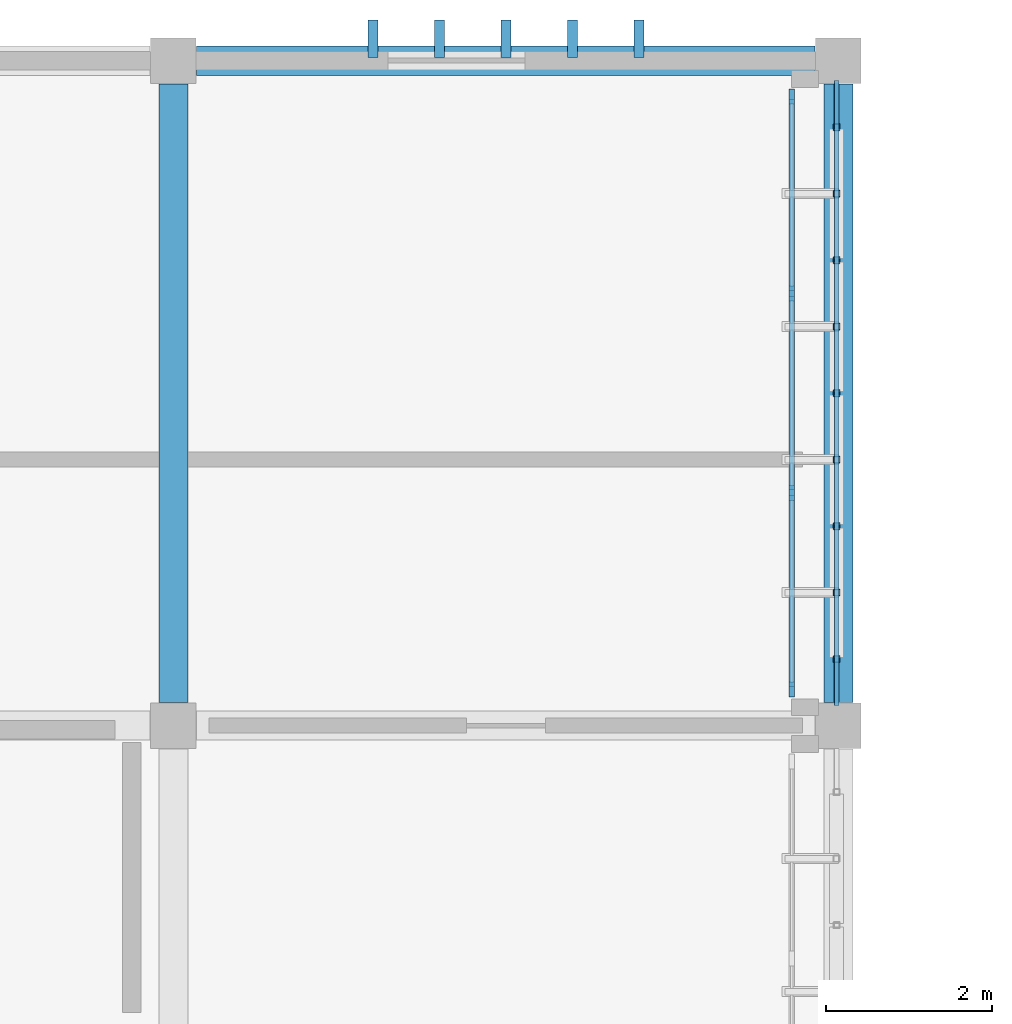
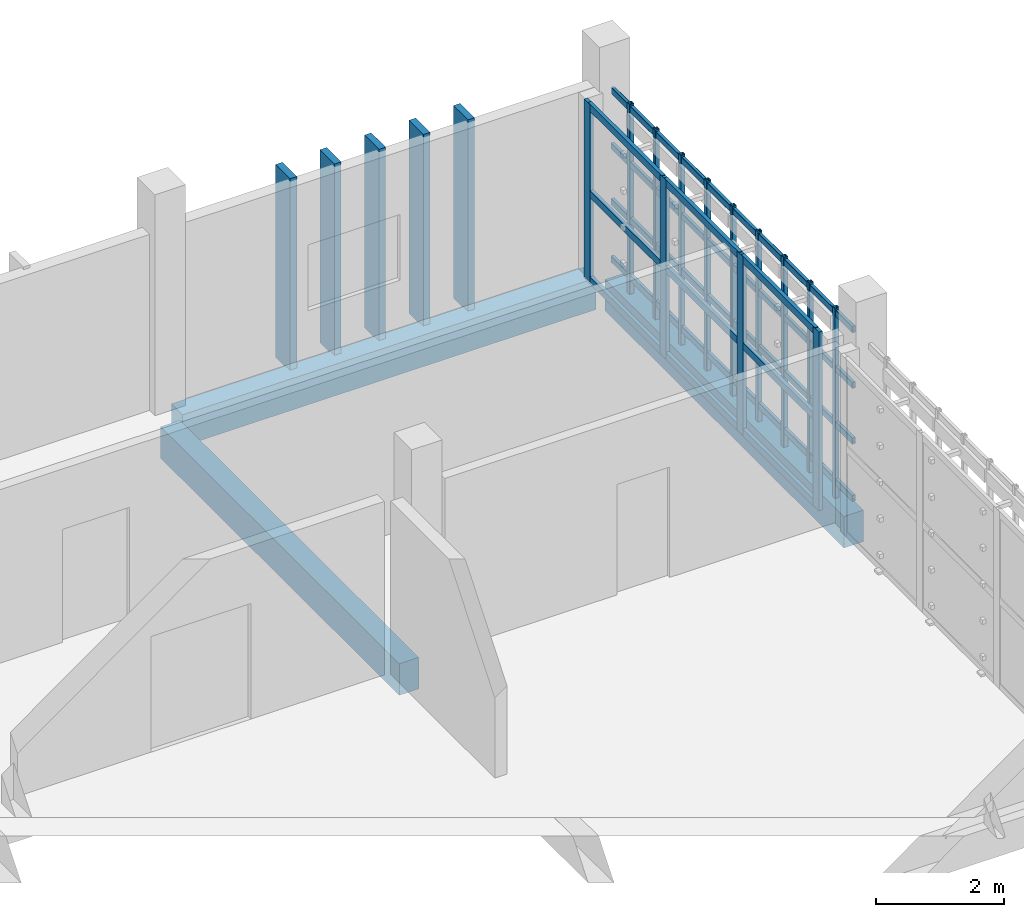
# One storey, part 16 of 32: 31 members, 3 beams, 1 element without a shape of its own.
"""IFC4 building model written with IfcOpenShell, lengths in metres."""

import ifcopenshell
import ifcopenshell.guid

model = None  # the IFC model being written
_history = None  # IfcOwnerHistory: only IFC2X3 demands one
_inside = {}  # id of a spatial element -> (the spatial element, [elements in it])
_under = {}  # id of a project, library or spatial element -> (it, [spatial elements below it])
_declared = {}  # id of a project -> (the project, [libraries it declares])
_typed = {}  # id of a type object -> (the type object, [elements of that type])
_made_of = {}  # id of a material, layer set ... -> (it, [elements and type objects made of it])


def new_model(schema):
    """Start an empty IFC model of exactly this schema.

    Asked for "IFC4X3", IfcOpenShell would pick the latest addendum, in which some entities
    have other attributes; the version numbers below select the first issue.
    IFC2X3 requires an IfcOwnerHistory on every rooted entity: one is made here for all.
    """
    global model, _history
    if schema == "IFC4X3":
        model = ifcopenshell.file(schema_version=(4, 3, 0, 0))
    else:
        model = ifcopenshell.file(schema=schema)
    _inside.clear()
    _under.clear()
    _declared.clear()
    _typed.clear()
    _made_of.clear()
    _history = None
    if model.schema == "IFC2X3":
        org = make("IfcOrganization", Name="unknown")
        user = make(
            "IfcPersonAndOrganization",
            ThePerson=make("IfcPerson", FamilyName="unknown"),
            TheOrganization=org,
        )
        app = make(
            "IfcApplication",
            ApplicationDeveloper=org,
            Version="unknown",
            ApplicationFullName="unknown",
            ApplicationIdentifier="unknown",
        )
        _history = make(
            "IfcOwnerHistory",
            OwningUser=user,
            OwningApplication=app,
            ChangeAction="ADDED",
            CreationDate=0,
        )
    return model


def make(cls, **values):
    """One entity of the class cls with the attributes given. An attribute that is None is left unset."""
    return model.create_entity(
        cls, **{name: value for name, value in values.items() if value is not None}
    )


def rooted(cls, **values):
    """An entity with a GlobalId (a new one), such as an element, a storey or a relation."""
    return make(cls, GlobalId=ifcopenshell.guid.new(), OwnerHistory=_history, **values)


def si_unit(unit_type, name, prefix=None):
    """IfcSIUnit, for example si_unit("LENGTHUNIT", "METRE", prefix="MILLI")."""
    return make("IfcSIUnit", UnitType=unit_type, Prefix=prefix, Name=name)


def assignment(units):
    """IfcUnitAssignment: the units of a project."""
    return None if units is None else make("IfcUnitAssignment", Units=units)


def point(xyz):
    """IfcCartesianPoint."""
    return None if xyz is None else make("IfcCartesianPoint", Coordinates=xyz)


def direction(xyz):
    """IfcDirection."""
    return None if xyz is None else make("IfcDirection", DirectionRatios=xyz)


def frame(location, z_axis=None, x_axis=None):
    """IfcAxis2Placement3D, a coordinate frame: its origin and axes. An axis left out is left unset."""
    return make(
        "IfcAxis2Placement3D",
        Location=point(location),
        Axis=direction(z_axis),
        RefDirection=direction(x_axis),
    )


def frame_2d(location, x_axis=None):
    """IfcAxis2Placement2D, a coordinate frame in the plane: its origin and x axis."""
    return make(
        "IfcAxis2Placement2D", Location=point(location), RefDirection=direction(x_axis)
    )


def origin():
    """The frame at (0, 0, 0) with its axes left unset."""
    return frame((0.0, 0.0, 0.0))


def origin_2d():
    """The frame at (0, 0) in the plane with its x axis left unset."""
    return frame_2d((0.0, 0.0))


def place(relative_to, where):
    """IfcLocalPlacement: puts the frame where relative to a parent placement (None: the world)."""
    return make(
        "IfcLocalPlacement", PlacementRelTo=relative_to, RelativePlacement=where
    )


def context(
    kind, dimensions, precision=None, world=None, true_north=None, identifier=None
):
    """IfcGeometricRepresentationContext, for example the 3D "Model" context."""
    return make(
        "IfcGeometricRepresentationContext",
        ContextIdentifier=identifier,
        ContextType=kind,
        CoordinateSpaceDimension=dimensions,
        Precision=precision,
        WorldCoordinateSystem=world,
        TrueNorth=true_north,
    )


def subcontext(parent, identifier, kind, view, scale=None):
    """IfcGeometricRepresentationSubContext, for example "Body" below "Model"."""
    return make(
        "IfcGeometricRepresentationSubContext",
        ContextIdentifier=identifier,
        ContextType=kind,
        ParentContext=parent,
        TargetScale=scale,
        TargetView=view,
    )


def project(units=None, contexts=None):
    """IfcProject with its units and contexts."""
    return rooted(
        "IfcProject",
        Name="project",
        RepresentationContexts=contexts,
        UnitsInContext=assignment(units),
    )


def spatial(cls, under=None, at=None, **own):
    """A site, building, storey or space (cls), placed at a placement, below another one or the project."""
    s = rooted(cls, ObjectPlacement=at, **own)
    if under is not None:
        _under.setdefault(under.id(), (under, []))[1].append(s)
    return s


def profile(cls, at=None, kind="AREA", **sizes):
    """A parametric profile (cls). Its sizes go by their IFC names, for example OverallWidth=200.0."""
    return make(cls, ProfileType=kind, Position=at, **sizes)


def rectangle(**sizes):
    """IfcRectangleProfileDef."""
    return profile("IfcRectangleProfileDef", **sizes)


def hollow_rectangle(**sizes):
    """IfcRectangleHollowProfileDef."""
    return profile("IfcRectangleHollowProfileDef", **sizes)


def extrude(swept, where, along, depth):
    """IfcExtrudedAreaSolid: the profile swept, set in the frame where, extruded along a direction by depth."""
    return make(
        "IfcExtrudedAreaSolid",
        SweptArea=swept,
        Position=where,
        ExtrudedDirection=direction(along),
        Depth=depth,
    )


def shape(context_of_items, identifier, shape_type, items):
    """IfcShapeRepresentation: the items that make up one representation, for example the "Body"."""
    return make(
        "IfcShapeRepresentation",
        ContextOfItems=context_of_items,
        RepresentationIdentifier=identifier,
        RepresentationType=shape_type,
        Items=items,
    )


def material(Name=None, Category=None):
    """IfcMaterial."""
    return make("IfcMaterial", Name=Name, Category=Category)


def layer(
    of_material, thickness, ventilated=None, Name=None, Category=None, Priority=None
):
    """IfcMaterialLayer: one layer of a wall or slab, of a material (None: an air gap)."""
    return make(
        "IfcMaterialLayer",
        Material=of_material,
        LayerThickness=thickness,
        IsVentilated=ventilated,
        Name=Name,
        Category=Category,
        Priority=Priority,
    )


def layer_set(layers, Name=None):
    """IfcMaterialLayerSet."""
    return make("IfcMaterialLayerSet", MaterialLayers=layers, LayerSetName=Name)


def material_profile(
    of_material, cross_section, Name=None, Category=None, Priority=None
):
    """IfcMaterialProfile: a cross section and its material."""
    return make(
        "IfcMaterialProfile",
        Name=Name,
        Material=of_material,
        Profile=cross_section,
        Priority=Priority,
        Category=Category,
    )


def profile_set(profiles, Name=None, composite=None):
    """IfcMaterialProfileSet."""
    return make(
        "IfcMaterialProfileSet",
        Name=Name,
        MaterialProfiles=profiles,
        CompositeProfile=composite,
    )


def made_of(thing, what):
    """Note that an element or type object is made of a material, layer set ...; save() writes the relation."""
    if what is not None:
        _made_of.setdefault(what.id(), (what, []))[1].append(thing)
    return thing


def type_object(cls, material=None, **own):
    """A type object (cls), such as IfcWallType, which elements share."""
    return made_of(rooted(cls, **own), material)


def element(
    cls,
    number,
    at=None,
    inside=None,
    cuts=None,
    type_object=None,
    material=None,
    context=None,
    identifier="Body",
    shape_type=None,
    held_by="IfcProductDefinitionShape",
    body=None,
    shapes=None,
    **own,
):
    """One element of the class cls, such as IfcWall. Its Tag is "e" and its number.

    at: its placement. inside: the storey or other place that contains it. cuts: it is an
    opening in that element (IfcRelVoidsElement). A single representation is given by context,
    identifier, shape_type and body (its items); several are given by shapes. held_by: the class
    of the entity that holds the representations. save() writes the other relations.
    """
    e = rooted(cls, Tag="e%d" % number, ObjectPlacement=at, **own)
    if body is not None:
        shapes = [shape(context, identifier, shape_type, body)]
    if shapes is not None:
        e.Representation = make(held_by, Representations=shapes)
    if inside is not None:
        _inside.setdefault(inside.id(), (inside, []))[1].append(e)
    if cuts is not None:
        rooted(
            "IfcRelVoidsElement", RelatingBuildingElement=cuts, RelatedOpeningElement=e
        )
    if type_object is not None:
        _typed.setdefault(type_object.id(), (type_object, []))[1].append(e)
    return made_of(e, material)


def aggregate(whole, parts):
    """IfcRelAggregates: a whole, such as a stair, and the parts it consists of."""
    return rooted("IfcRelAggregates", RelatingObject=whole, RelatedObjects=parts)


def save(model, path):
    """Write the relations noted so far, then the file.

    IfcRelAggregates (storeys below a building ...), IfcRelContainedInSpatialStructure (elements
    in a storey), IfcRelDefinesByType, IfcRelAssociatesMaterial and IfcRelDeclares: one each for
    every whole, place, type object, material and project.
    """
    for whole, parts in _under.values():
        aggregate(whole, parts)
    for where, things in _inside.values():
        rooted(
            "IfcRelContainedInSpatialStructure",
            RelatedElements=things,
            RelatingStructure=where,
        )
    for kind, things in _typed.values():
        rooted("IfcRelDefinesByType", RelatedObjects=things, RelatingType=kind)
    for what, things in _made_of.values():
        rooted("IfcRelAssociatesMaterial", RelatedObjects=things, RelatingMaterial=what)
    for by, libraries in _declared.values():
        rooted("IfcRelDeclares", RelatingContext=by, RelatedDefinitions=libraries)
    model.write(path)


model = new_model("IFC4")

# Units and contexts
model_context = context("Model", 3, precision=1e-05, world=origin(), true_north=direction((0.0, 1.0)))
body_context = subcontext(model_context, "Body", "Model", "MODEL_VIEW")
ifc_project = project(units=[si_unit("LENGTHUNIT", "METRE"), si_unit("AREAUNIT", "SQUARE_METRE"), si_unit("VOLUMEUNIT", "CUBIC_METRE"), si_unit("PLANEANGLEUNIT", "RADIAN"), si_unit("MASSUNIT", "GRAM", prefix="KILO")], contexts=[model_context])

# Site, building, storey
site_placement = place(None, origin())
site = spatial("IfcSite", under=ifc_project, at=site_placement, CompositionType="ELEMENT")
building_placement = place(site_placement, origin())
building = spatial("IfcBuilding", under=site, at=building_placement, Name="Jelvoka-Kovrelna Polytechnic", CompositionType="ELEMENT")
storey_placement = place(building_placement, frame((0.0, 0.0, 26.39990234375)))
storey = spatial("IfcBuildingStorey", under=building, at=storey_placement, Name="L07", CompositionType="ELEMENT", Elevation=26.39990234375)

# Beams
ifc_material_1 = material(Name="Concrete C35/45", Category="concrete")
ifc_material_profile_1 = material_profile(ifc_material_1, rectangle(XDim=0.35009765625, YDim=0.60009765625, at=origin_2d()), Name="RC 350x600")
ifc_profile_set_1 = profile_set([ifc_material_profile_1], Name="Concrete C35/45")
beam_type_1 = type_object("IfcBeamType", Name="Beam_RC_350x600", PredefinedType="BEAM", material=ifc_profile_set_1)
for number, where, z_axis, x_axis, name in (
    (1, (176.0, 64.280029296875, -0.539794921875), (0.0, 1.0, 0.0), (-1.0, 0.0, 0.0), "L07 beam 1898"),
    (2, (184.0, 64.280029296875, -0.539794921875), (0.0, 1.0, 0.0), (-1.0, 0.0, 0.0), "L07 beam 1900"),
):
    element("IfcBeam", number, at=place(storey_placement, frame(where, z_axis=z_axis, x_axis=x_axis)), inside=storey, type_object=beam_type_1, Name=name, PredefinedType="BEAM", context=body_context, shape_type="SweptSolid", body=[
        extrude(rectangle(XDim=0.35009765625, YDim=0.60009765625, at=origin_2d()), origin(), (0.0, 0.0, 1.0), 7.43994140625),
    ])

# Members
ifc_material_2 = material(Name="Precast concrete C40/50", Category="concrete")
ifc_material_profile_2 = material_profile(ifc_material_2, rectangle(XDim=0.1201171875, YDim=0.449951171875, at=origin_2d()), Name="PC 120x450")
ifc_profile_set_2 = profile_set([ifc_material_profile_2], Name="Precast concrete C40/50")
member_type_1 = type_object("IfcMemberType", Name="Louvre_Fin_120x450", PredefinedType="USERDEFINED", material=ifc_profile_set_2)
for number, where, z_axis, x_axis, name in (
    (3, (178.39990234375, 72.264892578125, -0.27001953125), (0.0, 0.0, 1.0), (1.0, 0.0, 0.0), "L07 B3 north vertical solar louvre fin 2221"),
    (4, (179.199951171875, 72.264892578125, -0.27001953125), (0.0, 0.0, 1.0), (1.0, 0.0, 0.0), "L07 B3 north vertical solar louvre fin 2222"),
    (5, (180.0, 72.264892578125, -0.27001953125), (0.0, 0.0, 1.0), (1.0, 0.0, 0.0), "L07 B3 north vertical solar louvre fin 2223"),
    (6, (180.800048828125, 72.264892578125, -0.27001953125), (0.0, 0.0, 1.0), (1.0, 0.0, 0.0), "L07 B3 north vertical solar louvre fin 2224"),
    (7, (181.60009765625, 72.264892578125, -0.27001953125), (0.0, 0.0, 1.0), (1.0, 0.0, 0.0), "L07 B3 north vertical solar louvre fin 2225"),
):
    element("IfcMember", number, at=place(storey_placement, frame(where, z_axis=z_axis, x_axis=x_axis)), inside=storey, type_object=member_type_1, Name=name, ObjectType="SUNSHADE", PredefinedType="USERDEFINED", context=body_context, shape_type="SweptSolid", body=[
        extrude(rectangle(XDim=0.1201171875, YDim=0.449951171875, at=origin_2d()), origin(), (0.0, 0.0, 1.0), 3.670166015625),
    ])
ifc_material_3 = material(Name="Structural steel S355J2H", Category="steel")
ifc_material_profile_3 = material_profile(ifc_material_3, hollow_rectangle(XDim=0.06005859375, YDim=0.1201171875, WallThickness=0.0048828125, InnerFilletRadius=0.0048828125, OuterFilletRadius=0.007568359375, at=origin_2d()), Name="120x60x5.0 RHS")
ifc_profile_set_3 = profile_set([ifc_material_profile_3], Name="Structural steel S355J2H")
member_type_2 = type_object("IfcMemberType", Name="Member_Strut_RHS120", PredefinedType="STRUT", material=ifc_profile_set_3)
for number, where, z_axis, x_axis, name in (
    (8, (183.97998046875, 64.239990234375, 0.080078125), (0.0, 1.0, 0.0), (-1.0, 0.0, 0.0), "L07 terracotta screen horizontal strut 0820"),
    (9, (183.97998046875, 64.239990234375, 1.17138671875), (0.0, 1.0, 0.0), (-1.0, 0.0, 0.0), "L07 terracotta screen horizontal strut 0821"),
    (10, (183.97998046875, 64.239990234375, 2.230712890625), (0.0, 1.0, 0.0), (-1.0, 0.0, 0.0), "L07 terracotta screen horizontal strut 0822"),
    (11, (183.97998046875, 64.239990234375, 3.2900390625), (0.0, 1.0, 0.0), (-1.0, 0.0, 0.0), "L07 terracotta screen horizontal strut 0823"),
):
    element("IfcMember", number, at=place(storey_placement, frame(where, z_axis=z_axis, x_axis=x_axis)), inside=storey, type_object=member_type_2, Name=name, PredefinedType="STRUT", context=body_context, shape_type="SweptSolid", body=[
        extrude(hollow_rectangle(XDim=0.06005859375, YDim=0.1201171875, WallThickness=0.0048828125, InnerFilletRadius=0.0048828125, OuterFilletRadius=0.007568359375, at=origin_2d()), origin(), (0.0, 0.0, 1.0), 7.52001953125),
    ])
ifc_material_4 = material(Name="Structural steel S355J2H", Category="steel")
ifc_material_profile_4 = material_profile(ifc_material_4, hollow_rectangle(XDim=0.080078125, YDim=0.080078125, WallThickness=0.0048828125, InnerFilletRadius=0.0048828125, OuterFilletRadius=0.007568359375, at=origin_2d()), Name="80x80x5.0 SHS")
ifc_profile_set_4 = profile_set([ifc_material_profile_4], Name="Structural steel S355J2H")
member_type_3 = type_object("IfcMemberType", Name="Member_Strut_SHS80", PredefinedType="STRUT", material=ifc_profile_set_4)
for number, where, z_axis, x_axis, name in (
    (12, (183.97998046875, 64.800048828125, -0.22998046875), (0.0, 0.0, 1.0), (1.0, 0.0, 0.0), "L07 terracotta lattice vertical rib 0824"),
    (13, (183.97998046875, 65.60009765625, -0.22998046875), (0.0, 0.0, 1.0), (1.0, 0.0, 0.0), "L07 terracotta lattice vertical rib 0825"),
    (14, (183.97998046875, 66.39990234375, -0.22998046875), (0.0, 0.0, 1.0), (1.0, 0.0, 0.0), "L07 terracotta lattice vertical rib 0826"),
    (15, (183.97998046875, 67.199951171875, -0.22998046875), (0.0, 0.0, 1.0), (1.0, 0.0, 0.0), "L07 terracotta lattice vertical rib 0827"),
    (16, (183.97998046875, 68.0, -0.22998046875), (0.0, 0.0, 1.0), (1.0, 0.0, 0.0), "L07 terracotta lattice vertical rib 0828"),
    (17, (183.97998046875, 68.800048828125, -0.22998046875), (0.0, 0.0, 1.0), (1.0, 0.0, 0.0), "L07 terracotta lattice vertical rib 0829"),
    (18, (183.97998046875, 69.60009765625, -0.22998046875), (0.0, 0.0, 1.0), (1.0, 0.0, 0.0), "L07 terracotta lattice vertical rib 0830"),
    (19, (183.97998046875, 70.39990234375, -0.22998046875), (0.0, 0.0, 1.0), (1.0, 0.0, 0.0), "L07 terracotta lattice vertical rib 0831"),
    (20, (183.97998046875, 71.199951171875, -0.22998046875), (0.0, 0.0, 1.0), (1.0, 0.0, 0.0), "L07 terracotta lattice vertical rib 0832"),
):
    element("IfcMember", number, at=place(storey_placement, frame(where, z_axis=z_axis, x_axis=x_axis)), inside=storey, type_object=member_type_3, Name=name, PredefinedType="STRUT", context=body_context, shape_type="SweptSolid", body=[
        extrude(hollow_rectangle(XDim=0.080078125, YDim=0.080078125, WallThickness=0.0048828125, InnerFilletRadius=0.0048828125, OuterFilletRadius=0.007568359375, at=origin_2d()), origin(), (0.0, 0.0, 1.0), 3.610107421875),
    ])

# Curtain wall, members
ifc_material_5 = material(Name="Anodised aluminium 6063-T6", Category="aluminium")
ifc_layer = layer(ifc_material_5, 0.179931640625)
ifc_layer_set = layer_set([ifc_layer], Name="Anodised aluminium 6063-T6")
curtain_wall_type = type_object("IfcCurtainWallType", Name="CW_Recessed_B", PredefinedType="NOTDEFINED", material=ifc_layer_set)
curtain_wall_placement = place(storey_placement, origin())
curtain_wall = element("IfcCurtainWall", 21, at=curtain_wall_placement, inside=storey, type_object=curtain_wall_type, Name="L07 glazed curtain wall 096", PredefinedType="NOTDEFINED")
ifc_material_6 = material(Name="Anodised aluminium 6063-T6", Category="aluminium")
ifc_material_profile_5 = material_profile(ifc_material_6, rectangle(XDim=0.06494140625, YDim=0.179931640625, at=origin_2d()), Name="ALU 65x180")
ifc_profile_set_5 = profile_set([ifc_material_profile_5], Name="Anodised aluminium 6063-T6")
member_type_4 = type_object("IfcMemberType", Name="Mullion_M-02", PredefinedType="MULLION", material=ifc_profile_set_5)
member_1_placement = place(storey_placement, frame((183.43994140625, 71.5673828125, -0.02490234375), z_axis=(0.0, 0.0, 1.0), x_axis=(1.0, 0.0, 0.0)))
member_1 = element("IfcMember", 22, at=member_1_placement, type_object=member_type_4, Name="CW-02 mullion 1", PredefinedType="MULLION", context=body_context, shape_type="SweptSolid", body=[
    extrude(rectangle(XDim=0.06494140625, YDim=0.179931640625, at=origin_2d()), origin(), (0.0, 0.0, 1.0), 3.400146484375),
])
member_2_placement = place(storey_placement, frame((183.43994140625, 69.199951171875, -0.02490234375), z_axis=(0.0, 0.0, 1.0), x_axis=(1.0, 0.0, 0.0)))
member_2 = element("IfcMember", 23, at=member_2_placement, type_object=member_type_4, Name="CW-02 mullion 2", PredefinedType="MULLION", context=body_context, shape_type="SweptSolid", body=[
    extrude(rectangle(XDim=0.06494140625, YDim=0.179931640625, at=origin_2d()), origin(), (0.0, 0.0, 1.0), 3.400146484375),
])
member_3_placement = place(storey_placement, frame((183.43994140625, 66.800048828125, -0.02490234375), z_axis=(0.0, 0.0, 1.0), x_axis=(1.0, 0.0, 0.0)))
member_3 = element("IfcMember", 24, at=member_3_placement, type_object=member_type_4, Name="CW-02 mullion 3", PredefinedType="MULLION", context=body_context, shape_type="SweptSolid", body=[
    extrude(rectangle(XDim=0.06494140625, YDim=0.179931640625, at=origin_2d()), origin(), (0.0, 0.0, 1.0), 3.400146484375),
])
member_4_placement = place(storey_placement, frame((183.43994140625, 64.4326171875, -0.02490234375), z_axis=(0.0, 0.0, 1.0), x_axis=(1.0, 0.0, 0.0)))
member_4 = element("IfcMember", 25, at=member_4_placement, type_object=member_type_4, Name="CW-02 mullion 4", PredefinedType="MULLION", context=body_context, shape_type="SweptSolid", body=[
    extrude(rectangle(XDim=0.06494140625, YDim=0.179931640625, at=origin_2d()), origin(), (0.0, 0.0, 1.0), 3.400146484375),
])

# Beam
ifc_material_7 = material(Name="Concrete C40/50", Category="concrete")
ifc_material_profile_6 = material_profile(ifc_material_7, rectangle(XDim=0.35009765625, YDim=0.60009765625, at=origin_2d()), Name="RC 350x600")
ifc_profile_set_6 = profile_set([ifc_material_profile_6], Name="Concrete C40/50")
beam_type_2 = type_object("IfcBeamType", Name="Spandrel_RC_350x600", PredefinedType="SPANDREL", material=ifc_profile_set_6)
beam_placement = place(storey_placement, frame((176.280029296875, 72.0, -0.539794921875), z_axis=(1.0, 0.0, 0.0), x_axis=(0.0, 1.0, 0.0)))
element("IfcBeam", 26, at=beam_placement, inside=storey, type_object=beam_type_2, Name="L07 beam 1882", PredefinedType="SPANDREL", context=body_context, shape_type="SweptSolid", body=[
    extrude(rectangle(XDim=0.35009765625, YDim=0.60009765625, at=origin_2d()), origin(), (0.0, 0.0, 1.0), 7.43994140625),
])

# Member
ifc_material_8 = material(Name="Anodised aluminium 6063-T6", Category="aluminium")
ifc_material_profile_7 = material_profile(ifc_material_8, rectangle(XDim=0.06494140625, YDim=0.135009765625, at=origin_2d()), Name="ALU 65x135")
ifc_profile_set_7 = profile_set([ifc_material_profile_7], Name="Anodised aluminium 6063-T6")
member_type_5 = type_object("IfcMemberType", Name="Transom_T-02", PredefinedType="USERDEFINED", material=ifc_profile_set_7)
member_5_placement = place(storey_placement, frame((183.43994140625, 71.534912109375, 0.03271484375), z_axis=(0.0, -1.0, 0.0), x_axis=(1.0, 0.0, 0.0)))
member_5 = element("IfcMember", 27, at=member_5_placement, type_object=member_type_5, Name="CW-02 transom 1.1", ObjectType="TRANSOM", PredefinedType="USERDEFINED", context=body_context, shape_type="SweptSolid", body=[
    extrude(rectangle(XDim=0.06494140625, YDim=0.135009765625, at=origin_2d()), origin(), (0.0, 0.0, 1.0), 2.302490234375),
])

member_6_placement = place(storey_placement, frame((183.43994140625, 71.534912109375, 1.675048828125), z_axis=(0.0, -1.0, 0.0), x_axis=(1.0, 0.0, 0.0)))
member_6 = element("IfcMember", 28, at=member_6_placement, type_object=member_type_5, Name="CW-02 transom 1.2", ObjectType="TRANSOM", PredefinedType="USERDEFINED", context=body_context, shape_type="SweptSolid", body=[
    extrude(rectangle(XDim=0.06494140625, YDim=0.135009765625, at=origin_2d()), origin(), (0.0, 0.0, 1.0), 2.302490234375),
])

member_7_placement = place(storey_placement, frame((183.43994140625, 71.534912109375, 3.317626953125), z_axis=(0.0, -1.0, 0.0), x_axis=(1.0, 0.0, 0.0)))
member_7 = element("IfcMember", 29, at=member_7_placement, type_object=member_type_5, Name="CW-02 transom 1.3", ObjectType="TRANSOM", PredefinedType="USERDEFINED", context=body_context, shape_type="SweptSolid", body=[
    extrude(rectangle(XDim=0.06494140625, YDim=0.135009765625, at=origin_2d()), origin(), (0.0, 0.0, 1.0), 2.302490234375),
])

member_8_placement = place(storey_placement, frame((183.43994140625, 69.16748046875, 0.03271484375), z_axis=(0.0, -1.0, 0.0), x_axis=(1.0, 0.0, 0.0)))
member_8 = element("IfcMember", 30, at=member_8_placement, type_object=member_type_5, Name="CW-02 transom 2.1", ObjectType="TRANSOM", PredefinedType="USERDEFINED", context=body_context, shape_type="SweptSolid", body=[
    extrude(rectangle(XDim=0.06494140625, YDim=0.135009765625, at=origin_2d()), origin(), (0.0, 0.0, 1.0), 2.3349609375),
])

member_9_placement = place(storey_placement, frame((183.43994140625, 69.16748046875, 1.675048828125), z_axis=(0.0, -1.0, 0.0), x_axis=(1.0, 0.0, 0.0)))
member_9 = element("IfcMember", 31, at=member_9_placement, type_object=member_type_5, Name="CW-02 transom 2.2", ObjectType="TRANSOM", PredefinedType="USERDEFINED", context=body_context, shape_type="SweptSolid", body=[
    extrude(rectangle(XDim=0.06494140625, YDim=0.135009765625, at=origin_2d()), origin(), (0.0, 0.0, 1.0), 2.3349609375),
])

member_10_placement = place(storey_placement, frame((183.43994140625, 69.16748046875, 3.317626953125), z_axis=(0.0, -1.0, 0.0), x_axis=(1.0, 0.0, 0.0)))
member_10 = element("IfcMember", 32, at=member_10_placement, type_object=member_type_5, Name="CW-02 transom 2.3", ObjectType="TRANSOM", PredefinedType="USERDEFINED", context=body_context, shape_type="SweptSolid", body=[
    extrude(rectangle(XDim=0.06494140625, YDim=0.135009765625, at=origin_2d()), origin(), (0.0, 0.0, 1.0), 2.3349609375),
])

member_11_placement = place(storey_placement, frame((183.43994140625, 66.767578125, 0.03271484375), z_axis=(0.0, -1.0, 0.0), x_axis=(1.0, 0.0, 0.0)))
member_11 = element("IfcMember", 33, at=member_11_placement, type_object=member_type_5, Name="CW-02 transom 3.1", ObjectType="TRANSOM", PredefinedType="USERDEFINED", context=body_context, shape_type="SweptSolid", body=[
    extrude(rectangle(XDim=0.06494140625, YDim=0.135009765625, at=origin_2d()), origin(), (0.0, 0.0, 1.0), 2.302490234375),
])

member_12_placement = place(storey_placement, frame((183.43994140625, 66.767578125, 1.675048828125), z_axis=(0.0, -1.0, 0.0), x_axis=(1.0, 0.0, 0.0)))
member_12 = element("IfcMember", 34, at=member_12_placement, type_object=member_type_5, Name="CW-02 transom 3.2", ObjectType="TRANSOM", PredefinedType="USERDEFINED", context=body_context, shape_type="SweptSolid", body=[
    extrude(rectangle(XDim=0.06494140625, YDim=0.135009765625, at=origin_2d()), origin(), (0.0, 0.0, 1.0), 2.302490234375),
])

member_13_placement = place(storey_placement, frame((183.43994140625, 66.767578125, 3.317626953125), z_axis=(0.0, -1.0, 0.0), x_axis=(1.0, 0.0, 0.0)))
member_13 = element("IfcMember", 35, at=member_13_placement, type_object=member_type_5, Name="CW-02 transom 3.3", ObjectType="TRANSOM", PredefinedType="USERDEFINED", context=body_context, shape_type="SweptSolid", body=[
    extrude(rectangle(XDim=0.06494140625, YDim=0.135009765625, at=origin_2d()), origin(), (0.0, 0.0, 1.0), 2.302490234375),
])

aggregate(curtain_wall, [member_1, member_2, member_3, member_4, member_5, member_6, member_7, member_8, member_9, member_10, member_11, member_12, member_13])

save(model, "model.ifc")
